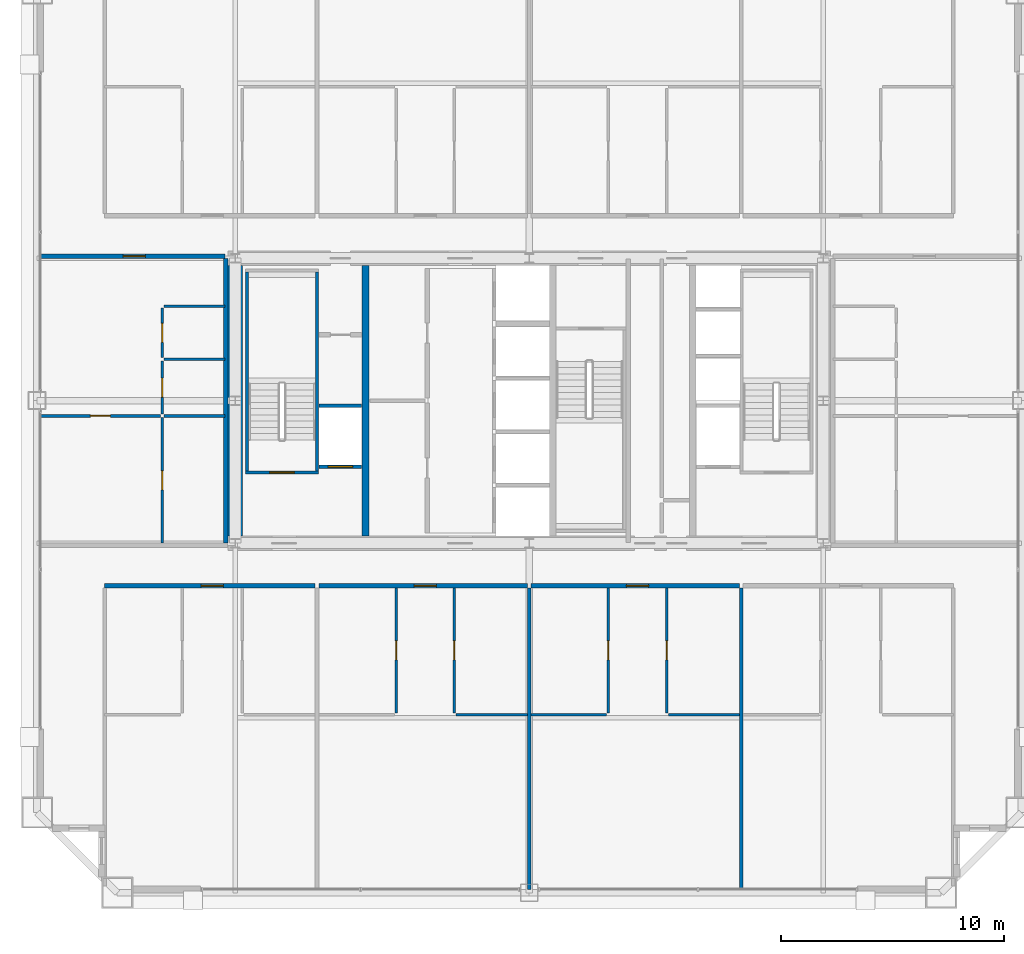
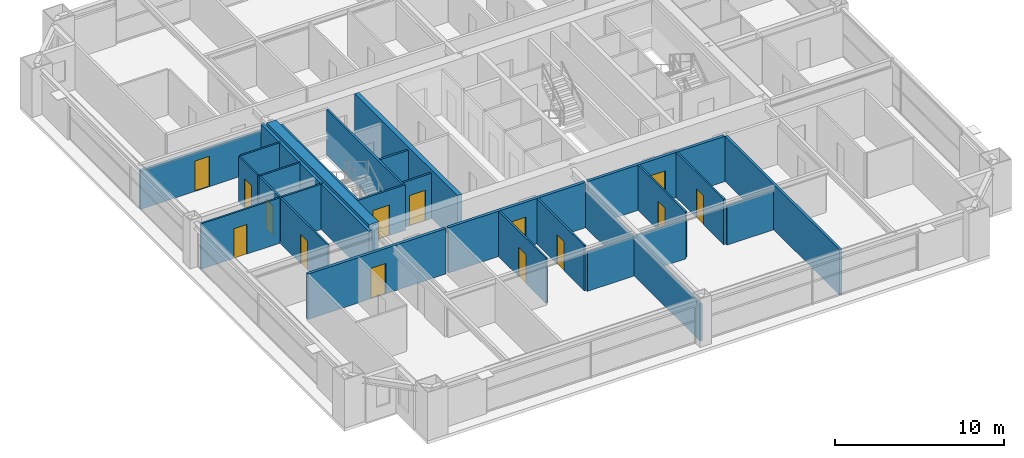
# One storey, part 33 of 38: 28 walls, 14 doors, 14 openings.
"""IFC4 building model written with IfcOpenShell, lengths in metres."""

import ifcopenshell
import ifcopenshell.guid

model = None  # the IFC model being written
_history = None  # IfcOwnerHistory: only IFC2X3 demands one
_inside = {}  # id of a spatial element -> (the spatial element, [elements in it])
_under = {}  # id of a project, library or spatial element -> (it, [spatial elements below it])
_declared = {}  # id of a project -> (the project, [libraries it declares])
_typed = {}  # id of a type object -> (the type object, [elements of that type])
_made_of = {}  # id of a material, layer set ... -> (it, [elements and type objects made of it])


def new_model(schema):
    """Start an empty IFC model of exactly this schema.

    Asked for "IFC4X3", IfcOpenShell would pick the latest addendum, in which some entities
    have other attributes; the version numbers below select the first issue.
    IFC2X3 requires an IfcOwnerHistory on every rooted entity: one is made here for all.
    """
    global model, _history
    if schema == "IFC4X3":
        model = ifcopenshell.file(schema_version=(4, 3, 0, 0))
    else:
        model = ifcopenshell.file(schema=schema)
    _inside.clear()
    _under.clear()
    _declared.clear()
    _typed.clear()
    _made_of.clear()
    _history = None
    if model.schema == "IFC2X3":
        org = make("IfcOrganization", Name="unknown")
        user = make(
            "IfcPersonAndOrganization",
            ThePerson=make("IfcPerson", FamilyName="unknown"),
            TheOrganization=org,
        )
        app = make(
            "IfcApplication",
            ApplicationDeveloper=org,
            Version="unknown",
            ApplicationFullName="unknown",
            ApplicationIdentifier="unknown",
        )
        _history = make(
            "IfcOwnerHistory",
            OwningUser=user,
            OwningApplication=app,
            ChangeAction="ADDED",
            CreationDate=0,
        )
    return model


def make(cls, **values):
    """One entity of the class cls with the attributes given. An attribute that is None is left unset."""
    return model.create_entity(
        cls, **{name: value for name, value in values.items() if value is not None}
    )


def rooted(cls, **values):
    """An entity with a GlobalId (a new one), such as an element, a storey or a relation."""
    return make(cls, GlobalId=ifcopenshell.guid.new(), OwnerHistory=_history, **values)


def si_unit(unit_type, name, prefix=None):
    """IfcSIUnit, for example si_unit("LENGTHUNIT", "METRE", prefix="MILLI")."""
    return make("IfcSIUnit", UnitType=unit_type, Prefix=prefix, Name=name)


def assignment(units):
    """IfcUnitAssignment: the units of a project."""
    return None if units is None else make("IfcUnitAssignment", Units=units)


def point(xyz):
    """IfcCartesianPoint."""
    return None if xyz is None else make("IfcCartesianPoint", Coordinates=xyz)


def direction(xyz):
    """IfcDirection."""
    return None if xyz is None else make("IfcDirection", DirectionRatios=xyz)


def frame(location, z_axis=None, x_axis=None):
    """IfcAxis2Placement3D, a coordinate frame: its origin and axes. An axis left out is left unset."""
    return make(
        "IfcAxis2Placement3D",
        Location=point(location),
        Axis=direction(z_axis),
        RefDirection=direction(x_axis),
    )


def frame_2d(location, x_axis=None):
    """IfcAxis2Placement2D, a coordinate frame in the plane: its origin and x axis."""
    return make(
        "IfcAxis2Placement2D", Location=point(location), RefDirection=direction(x_axis)
    )


def origin():
    """The frame at (0, 0, 0) with its axes left unset."""
    return frame((0.0, 0.0, 0.0))


def place(relative_to, where):
    """IfcLocalPlacement: puts the frame where relative to a parent placement (None: the world)."""
    return make(
        "IfcLocalPlacement", PlacementRelTo=relative_to, RelativePlacement=where
    )


def context(
    kind, dimensions, precision=None, world=None, true_north=None, identifier=None
):
    """IfcGeometricRepresentationContext, for example the 3D "Model" context."""
    return make(
        "IfcGeometricRepresentationContext",
        ContextIdentifier=identifier,
        ContextType=kind,
        CoordinateSpaceDimension=dimensions,
        Precision=precision,
        WorldCoordinateSystem=world,
        TrueNorth=true_north,
    )


def subcontext(parent, identifier, kind, view, scale=None):
    """IfcGeometricRepresentationSubContext, for example "Body" below "Model"."""
    return make(
        "IfcGeometricRepresentationSubContext",
        ContextIdentifier=identifier,
        ContextType=kind,
        ParentContext=parent,
        TargetScale=scale,
        TargetView=view,
    )


def project(units=None, contexts=None):
    """IfcProject with its units and contexts."""
    return rooted(
        "IfcProject",
        Name="project",
        RepresentationContexts=contexts,
        UnitsInContext=assignment(units),
    )


def spatial(cls, under=None, at=None, **own):
    """A site, building, storey or space (cls), placed at a placement, below another one or the project."""
    s = rooted(cls, ObjectPlacement=at, **own)
    if under is not None:
        _under.setdefault(under.id(), (under, []))[1].append(s)
    return s


def profile(cls, at=None, kind="AREA", **sizes):
    """A parametric profile (cls). Its sizes go by their IFC names, for example OverallWidth=200.0."""
    return make(cls, ProfileType=kind, Position=at, **sizes)


def rectangle(**sizes):
    """IfcRectangleProfileDef."""
    return profile("IfcRectangleProfileDef", **sizes)


def extrude(swept, where, along, depth):
    """IfcExtrudedAreaSolid: the profile swept, set in the frame where, extruded along a direction by depth."""
    return make(
        "IfcExtrudedAreaSolid",
        SweptArea=swept,
        Position=where,
        ExtrudedDirection=direction(along),
        Depth=depth,
    )


def shape(context_of_items, identifier, shape_type, items):
    """IfcShapeRepresentation: the items that make up one representation, for example the "Body"."""
    return make(
        "IfcShapeRepresentation",
        ContextOfItems=context_of_items,
        RepresentationIdentifier=identifier,
        RepresentationType=shape_type,
        Items=items,
    )


def source(mapping_origin, context_of_items, identifier, shape_type, items):
    """IfcRepresentationMap: a shape defined once, which mapped items show again and again."""
    return make(
        "IfcRepresentationMap",
        MappingOrigin=mapping_origin,
        MappedRepresentation=shape(context_of_items, identifier, shape_type, items),
    )


def transform(
    local_origin,
    x_axis=None,
    y_axis=None,
    z_axis=None,
    scale=None,
    scale2=None,
    scale3=None,
    uniform=True,
):
    """IfcCartesianTransformationOperator3D, or its non-uniform kind. x_axis, y_axis, z_axis: its Axis1, 2, 3."""
    if uniform:
        return make(
            "IfcCartesianTransformationOperator3D",
            Axis1=direction(x_axis),
            Axis2=direction(y_axis),
            LocalOrigin=point(local_origin),
            Scale=scale,
            Axis3=direction(z_axis),
        )
    return make(
        "IfcCartesianTransformationOperator3DnonUniform",
        Axis1=direction(x_axis),
        Axis2=direction(y_axis),
        LocalOrigin=point(local_origin),
        Scale=scale,
        Axis3=direction(z_axis),
        Scale2=scale2,
        Scale3=scale3,
    )


def mapped(mapping_source, mapping_target):
    """IfcMappedItem: shows the shape of a source again, moved by a transform."""
    return make(
        "IfcMappedItem", MappingSource=mapping_source, MappingTarget=mapping_target
    )


def material(Name=None, Category=None):
    """IfcMaterial."""
    return make("IfcMaterial", Name=Name, Category=Category)


def layer(
    of_material, thickness, ventilated=None, Name=None, Category=None, Priority=None
):
    """IfcMaterialLayer: one layer of a wall or slab, of a material (None: an air gap)."""
    return make(
        "IfcMaterialLayer",
        Material=of_material,
        LayerThickness=thickness,
        IsVentilated=ventilated,
        Name=Name,
        Category=Category,
        Priority=Priority,
    )


def layer_set(layers, Name=None):
    """IfcMaterialLayerSet."""
    return make("IfcMaterialLayerSet", MaterialLayers=layers, LayerSetName=Name)


def made_of(thing, what):
    """Note that an element or type object is made of a material, layer set ...; save() writes the relation."""
    if what is not None:
        _made_of.setdefault(what.id(), (what, []))[1].append(thing)
    return thing


def type_object(cls, material=None, **own):
    """A type object (cls), such as IfcWallType, which elements share."""
    return made_of(rooted(cls, **own), material)


def element(
    cls,
    number,
    at=None,
    inside=None,
    cuts=None,
    type_object=None,
    material=None,
    context=None,
    identifier="Body",
    shape_type=None,
    held_by="IfcProductDefinitionShape",
    body=None,
    shapes=None,
    **own,
):
    """One element of the class cls, such as IfcWall. Its Tag is "e" and its number.

    at: its placement. inside: the storey or other place that contains it. cuts: it is an
    opening in that element (IfcRelVoidsElement). A single representation is given by context,
    identifier, shape_type and body (its items); several are given by shapes. held_by: the class
    of the entity that holds the representations. save() writes the other relations.
    """
    e = rooted(cls, Tag="e%d" % number, ObjectPlacement=at, **own)
    if body is not None:
        shapes = [shape(context, identifier, shape_type, body)]
    if shapes is not None:
        e.Representation = make(held_by, Representations=shapes)
    if inside is not None:
        _inside.setdefault(inside.id(), (inside, []))[1].append(e)
    if cuts is not None:
        rooted(
            "IfcRelVoidsElement", RelatingBuildingElement=cuts, RelatedOpeningElement=e
        )
    if type_object is not None:
        _typed.setdefault(type_object.id(), (type_object, []))[1].append(e)
    return made_of(e, material)


def fill(opening, filler):
    """IfcRelFillsElement: the door or window that sits in an opening."""
    return rooted(
        "IfcRelFillsElement",
        RelatingOpeningElement=opening,
        RelatedBuildingElement=filler,
    )


def aggregate(whole, parts):
    """IfcRelAggregates: a whole, such as a stair, and the parts it consists of."""
    return rooted("IfcRelAggregates", RelatingObject=whole, RelatedObjects=parts)


def save(model, path):
    """Write the relations noted so far, then the file.

    IfcRelAggregates (storeys below a building ...), IfcRelContainedInSpatialStructure (elements
    in a storey), IfcRelDefinesByType, IfcRelAssociatesMaterial and IfcRelDeclares: one each for
    every whole, place, type object, material and project.
    """
    for whole, parts in _under.values():
        aggregate(whole, parts)
    for where, things in _inside.values():
        rooted(
            "IfcRelContainedInSpatialStructure",
            RelatedElements=things,
            RelatingStructure=where,
        )
    for kind, things in _typed.values():
        rooted("IfcRelDefinesByType", RelatedObjects=things, RelatingType=kind)
    for what, things in _made_of.values():
        rooted("IfcRelAssociatesMaterial", RelatedObjects=things, RelatingMaterial=what)
    for by, libraries in _declared.values():
        rooted("IfcRelDeclares", RelatingContext=by, RelatedDefinitions=libraries)
    model.write(path)


model = new_model("IFC4")

# Units and contexts
model_context = context("Model", 3, precision=1e-05, world=origin(), true_north=direction((0.0, 1.0)))
body_context = subcontext(model_context, "Body", "Model", "MODEL_VIEW")
ifc_project = project(units=[si_unit("LENGTHUNIT", "METRE"), si_unit("AREAUNIT", "SQUARE_METRE"), si_unit("VOLUMEUNIT", "CUBIC_METRE"), si_unit("PLANEANGLEUNIT", "RADIAN"), si_unit("MASSUNIT", "GRAM", prefix="KILO"), si_unit("THERMODYNAMICTEMPERATUREUNIT", "KELVIN"), si_unit("POWERUNIT", "WATT")], contexts=[model_context])

# Site, building, storey
site_placement = place(None, origin())
site = spatial("IfcSite", under=ifc_project, at=site_placement, CompositionType="ELEMENT")
building_placement = place(site_placement, origin())
building = spatial("IfcBuilding", under=site, at=building_placement, Name="Yuzanri Waterfront Tower", CompositionType="ELEMENT")
storey_placement = place(building_placement, frame((0.0, 0.0, 181.0)))
storey = spatial("IfcBuildingStorey", under=building, at=storey_placement, Name="L47", CompositionType="ELEMENT", Elevation=181.0)

# Wall, opening, door
ifc_material_1 = material(Name="Moisture-Resistant Gypsum Stud Wall", Category="gypsum")
ifc_layer_1 = layer(ifc_material_1, 0.1201171875)
ifc_layer_set_1 = layer_set([ifc_layer_1], Name="Moisture-Resistant Gypsum Stud Wall")
wall_type_1 = type_object("IfcWallType", Name="Bathroom and Kitchen Wet Partition 120", PredefinedType="PARTITIONING", material=ifc_layer_set_1)
wall_1_placement = place(storey_placement, frame((31.02392578125, 11.780029296875, 0.0), z_axis=(0.0, 0.0, 1.0), x_axis=(0.0, 1.0, 0.0)))
wall_1 = element("IfcWall", 1, at=wall_1_placement, inside=storey, type_object=wall_type_1, Name="L47 Partition UW-L47-RS2-SUB-1-E", PredefinedType="PARTITIONING", context=body_context, shape_type="SweptSolid", body=[
    extrude(rectangle(XDim=5.60986328125, YDim=0.1201171875, at=frame_2d((2.804931640625, 0.0))), origin(), (0.0, 0.0, 1.0), 3.280029296875),
])
opening_1_placement = place(wall_1_placement, frame((2.3798828125, 0.0, 0.0)))
opening_1 = element("IfcOpeningElement", 2, at=opening_1_placement, cuts=wall_1, Name="Opening ID-0850", PredefinedType="OPENING", context=body_context, shape_type="SweptSolid", body=[
    extrude(rectangle(XDim=0.85009765625, YDim=2.10009765625, at=frame_2d((0.425048828125, 1.050048828125))), frame((0.0, 0.074951171875, 0.0), z_axis=(0.0, -1.0, 0.0), x_axis=(1.0, 0.0, 0.0)), (0.0, 0.0, 1.0), 0.14990234375),
])
ifc_material_2 = material(Name="Moisture-Resistant Lacquered Timber", Category="wood")
door_type_1 = type_object("IfcDoorType", Name="En-Suite Bathroom and Kitchen Swing Door 850x2100", OperationType="NOTDEFINED", PredefinedType="DOOR", material=ifc_material_2)
shared_shape_1 = source(origin(), body_context, "Body", "SweptSolid", [
    extrude(rectangle(XDim=0.85009765625, YDim=2.10009765625, at=frame_2d((0.425048828125, 1.050048828125))), frame((0.0, 0.02490234375, 0.0), z_axis=(0.0, -1.0, 0.0), x_axis=(1.0, 0.0, 0.0)), (0.0, 0.0, 1.0), 0.050048828125),
])
door_1_placement = place(opening_1_placement, origin())
door_1 = element("IfcDoor", 3, at=door_1_placement, inside=storey, type_object=door_type_1, Name="L47 Suite Interior Room Door", OperationType="SINGLE_SWING_RIGHT", OverallHeight=2.10009765625, OverallWidth=0.85009765625, PredefinedType="DOOR", context=body_context, shape_type="MappedRepresentation", body=[
    mapped(shared_shape_1, transform((0.0, 0.0, 0.0), scale=1.0)),
])
fill(opening_1, door_1)

wall_2_placement = place(storey_placement, frame((33.639892578125, 11.780029296875, 0.0), z_axis=(0.0, 0.0, 1.0), x_axis=(0.0, 1.0, 0.0)))
wall_2 = element("IfcWall", 4, at=wall_2_placement, inside=storey, type_object=wall_type_1, Name="L47 Partition UW-L47-RS2-SUB-2-W", PredefinedType="PARTITIONING", context=body_context, shape_type="SweptSolid", body=[
    extrude(rectangle(XDim=5.60986328125, YDim=0.1201171875, at=frame_2d((2.804931640625, 0.0))), origin(), (0.0, 0.0, 1.0), 3.280029296875),
])
opening_2_placement = place(wall_2_placement, frame((2.3798828125, 0.0, 0.0)))
opening_2 = element("IfcOpeningElement", 5, at=opening_2_placement, cuts=wall_2, Name="Opening ID-0850", PredefinedType="OPENING", context=body_context, shape_type="SweptSolid", body=[
    extrude(rectangle(XDim=0.85009765625, YDim=2.10009765625, at=frame_2d((0.425048828125, 1.050048828125))), frame((0.0, 0.074951171875, 0.0), z_axis=(0.0, -1.0, 0.0), x_axis=(1.0, 0.0, 0.0)), (0.0, 0.0, 1.0), 0.14990234375),
])
door_2_placement = place(opening_2_placement, origin())
door_2 = element("IfcDoor", 6, at=door_2_placement, inside=storey, type_object=door_type_1, Name="L47 Suite Interior Room Door", OperationType="SINGLE_SWING_LEFT", OverallHeight=2.10009765625, OverallWidth=0.85009765625, PredefinedType="DOOR", context=body_context, shape_type="MappedRepresentation", body=[
    mapped(shared_shape_1, transform((0.0, 0.0, 0.0), scale=1.0)),
])
fill(opening_2, door_2)

wall_3_placement = place(storey_placement, frame((40.553955078125, 11.780029296875, 0.0), z_axis=(0.0, 0.0, 1.0), x_axis=(0.0, 1.0, 0.0)))
wall_3 = element("IfcWall", 7, at=wall_3_placement, inside=storey, type_object=wall_type_1, Name="L47 Partition UW-L47-RS3-SUB-1-E", PredefinedType="PARTITIONING", context=body_context, shape_type="SweptSolid", body=[
    extrude(rectangle(XDim=5.60986328125, YDim=0.1201171875, at=frame_2d((2.804931640625, 0.0))), origin(), (0.0, 0.0, 1.0), 3.280029296875),
])
opening_3_placement = place(wall_3_placement, frame((2.3798828125, 0.0, 0.0)))
opening_3 = element("IfcOpeningElement", 8, at=opening_3_placement, cuts=wall_3, Name="Opening ID-0850", PredefinedType="OPENING", context=body_context, shape_type="SweptSolid", body=[
    extrude(rectangle(XDim=0.85009765625, YDim=2.10009765625, at=frame_2d((0.425048828125, 1.050048828125))), frame((0.0, 0.074951171875, 0.0), z_axis=(0.0, -1.0, 0.0), x_axis=(1.0, 0.0, 0.0)), (0.0, 0.0, 1.0), 0.14990234375),
])
door_3_placement = place(opening_3_placement, origin())
door_3 = element("IfcDoor", 9, at=door_3_placement, inside=storey, type_object=door_type_1, Name="L47 Suite Interior Room Door", OperationType="SINGLE_SWING_LEFT", OverallHeight=2.10009765625, OverallWidth=0.85009765625, PredefinedType="DOOR", context=body_context, shape_type="MappedRepresentation", body=[
    mapped(shared_shape_1, transform((0.0, 0.0, 0.0), scale=1.0)),
])
fill(opening_3, door_3)

wall_4_placement = place(storey_placement, frame((43.169921875, 11.780029296875, 0.0), z_axis=(0.0, 0.0, 1.0), x_axis=(0.0, 1.0, 0.0)))
wall_4 = element("IfcWall", 10, at=wall_4_placement, inside=storey, type_object=wall_type_1, Name="L47 Partition UW-L47-RS3-SUB-2-W", PredefinedType="PARTITIONING", context=body_context, shape_type="SweptSolid", body=[
    extrude(rectangle(XDim=5.60986328125, YDim=0.1201171875, at=frame_2d((2.804931640625, 0.0))), origin(), (0.0, 0.0, 1.0), 3.280029296875),
])
opening_4_placement = place(wall_4_placement, frame((2.3798828125, 0.0, 0.0)))
opening_4 = element("IfcOpeningElement", 11, at=opening_4_placement, cuts=wall_4, Name="Opening ID-0850", PredefinedType="OPENING", context=body_context, shape_type="SweptSolid", body=[
    extrude(rectangle(XDim=0.85009765625, YDim=2.10009765625, at=frame_2d((0.425048828125, 1.050048828125))), frame((0.0, 0.074951171875, 0.0), z_axis=(0.0, -1.0, 0.0), x_axis=(1.0, 0.0, 0.0)), (0.0, 0.0, 1.0), 0.14990234375),
])
door_4_placement = place(opening_4_placement, origin())
door_4 = element("IfcDoor", 12, at=door_4_placement, inside=storey, type_object=door_type_1, Name="L47 Suite Interior Room Door", OperationType="SINGLE_SWING_RIGHT", OverallHeight=2.10009765625, OverallWidth=0.85009765625, PredefinedType="DOOR", context=body_context, shape_type="MappedRepresentation", body=[
    mapped(shared_shape_1, transform((0.0, 0.0, 0.0), scale=1.0)),
])
fill(opening_4, door_4)

wall_5_placement = place(storey_placement, frame((20.52001953125, 25.193115234375, 0.0), z_axis=(0.0, 0.0, 1.0), x_axis=(0.0, 1.0, 0.0)))
wall_5 = element("IfcWall", 13, at=wall_5_placement, inside=storey, type_object=wall_type_1, Name="L47 Partition UW-L47-RW1-SUB-1-W", PredefinedType="PARTITIONING", context=body_context, shape_type="SweptSolid", body=[
    extrude(rectangle(XDim=2.37890625, YDim=0.1201171875, at=frame_2d((1.189453125, 0.0))), origin(), (0.0, 0.0, 1.0), 3.280029296875),
])
opening_5_placement = place(wall_5_placement, frame((0.764404296875, 0.0, 0.0)))
opening_5 = element("IfcOpeningElement", 14, at=opening_5_placement, cuts=wall_5, Name="Opening ID-0850", PredefinedType="OPENING", context=body_context, shape_type="SweptSolid", body=[
    extrude(rectangle(XDim=0.85009765625, YDim=2.10009765625, at=frame_2d((0.425048828125, 1.050048828125))), frame((0.0, 0.074951171875, 0.0), z_axis=(0.0, -1.0, 0.0), x_axis=(1.0, 0.0, 0.0)), (0.0, 0.0, 1.0), 0.14990234375),
])
door_5_placement = place(opening_5_placement, origin())
door_5 = element("IfcDoor", 15, at=door_5_placement, inside=storey, type_object=door_type_1, Name="L47 Suite Interior Room Door", OperationType="SINGLE_SWING_LEFT", OverallHeight=2.10009765625, OverallWidth=0.85009765625, PredefinedType="DOOR", context=body_context, shape_type="MappedRepresentation", body=[
    mapped(shared_shape_1, transform((0.0, 0.0, 0.0), scale=1.0)),
])
fill(opening_5, door_5)

wall_6_placement = place(storey_placement, frame((20.52001953125, 27.73193359375, 0.0), z_axis=(0.0, 0.0, 1.0), x_axis=(0.0, 1.0, 0.0)))
wall_6 = element("IfcWall", 16, at=wall_6_placement, inside=storey, type_object=wall_type_1, Name="L47 Partition UW-L47-RW1-SUB-2-W", PredefinedType="PARTITIONING", context=body_context, shape_type="SweptSolid", body=[
    extrude(rectangle(XDim=2.218994140625, YDim=0.1201171875, at=frame_2d((1.109375, 0.0))), origin(), (0.0, 0.0, 1.0), 3.280029296875),
])
opening_6_placement = place(wall_6_placement, frame((0.6845703125, 0.0, 0.0)))
opening_6 = element("IfcOpeningElement", 17, at=opening_6_placement, cuts=wall_6, Name="Opening ID-0850", PredefinedType="OPENING", context=body_context, shape_type="SweptSolid", body=[
    extrude(rectangle(XDim=0.85009765625, YDim=2.10009765625, at=frame_2d((0.425048828125, 1.050048828125))), frame((0.0, 0.074951171875, 0.0), z_axis=(0.0, -1.0, 0.0), x_axis=(1.0, 0.0, 0.0)), (0.0, 0.0, 1.0), 0.14990234375),
])
door_6_placement = place(opening_6_placement, origin())
door_6 = element("IfcDoor", 18, at=door_6_placement, inside=storey, type_object=door_type_1, Name="L47 Suite Interior Room Door", OperationType="SINGLE_SWING_RIGHT", OverallHeight=2.10009765625, OverallWidth=0.85009765625, PredefinedType="DOOR", context=body_context, shape_type="MappedRepresentation", body=[
    mapped(shared_shape_1, transform((0.0, 0.0, 0.0), scale=1.0)),
])
fill(opening_6, door_6)

wall_7_placement = place(storey_placement, frame((15.050048828125, 25.113037109375, 0.0), z_axis=(0.0, 0.0, 1.0), x_axis=(1.0, 0.0, 0.0)))
wall_7 = element("IfcWall", 19, at=wall_7_placement, inside=storey, type_object=wall_type_1, Name="L47 Partition UW-L47-RW1-SUB-3-N", PredefinedType="PARTITIONING", context=body_context, shape_type="SweptSolid", body=[
    extrude(rectangle(XDim=5.389892578125, YDim=0.1201171875, at=frame_2d((2.69482421875, 0.0))), origin(), (0.0, 0.0, 1.0), 3.280029296875),
])
opening_7_placement = place(wall_7_placement, frame((2.2451171875, 0.0, 0.0)))
opening_7 = element("IfcOpeningElement", 20, at=opening_7_placement, cuts=wall_7, Name="Opening ID-0900", PredefinedType="OPENING", context=body_context, shape_type="SweptSolid", body=[
    extrude(rectangle(XDim=0.89990234375, YDim=2.14990234375, at=frame_2d((0.449951171875, 1.074951171875))), frame((0.0, 0.074951171875, 0.0), z_axis=(0.0, -1.0, 0.0), x_axis=(1.0, 0.0, 0.0)), (0.0, 0.0, 1.0), 0.14990234375),
])
ifc_material_3 = material(Name="Stained Walnut Veneer Timber", Category="wood")
door_type_2 = type_object("IfcDoorType", Name="Bedroom and Study Interior Swing Door 900x2150", OperationType="NOTDEFINED", PredefinedType="DOOR", material=ifc_material_3)
shared_shape_2 = source(origin(), body_context, "Body", "SweptSolid", [
    extrude(rectangle(XDim=0.89990234375, YDim=2.14990234375, at=frame_2d((0.449951171875, 1.074951171875))), frame((0.0, 0.02490234375, 0.0), z_axis=(0.0, -1.0, 0.0), x_axis=(1.0, 0.0, 0.0)), (0.0, 0.0, 1.0), 0.050048828125),
])
door_7_placement = place(opening_7_placement, origin())
door_7 = element("IfcDoor", 21, at=door_7_placement, inside=storey, type_object=door_type_2, Name="L47 Suite Interior Room Door", OperationType="SINGLE_SWING_LEFT", OverallHeight=2.14990234375, OverallWidth=0.89990234375, PredefinedType="DOOR", context=body_context, shape_type="MappedRepresentation", body=[
    mapped(shared_shape_2, transform((0.0, 0.0, 0.0), scale=1.0)),
])
fill(opening_7, door_7)

wall_8_placement = place(storey_placement, frame((20.52001953125, 19.409912109375, 0.0), z_axis=(0.0, 0.0, 1.0), x_axis=(0.0, 1.0, 0.0)))
wall_8 = element("IfcWall", 22, at=wall_8_placement, inside=storey, type_object=wall_type_1, Name="L47 Partition UW-L47-RW1-SUB-3-E", PredefinedType="PARTITIONING", context=body_context, shape_type="SweptSolid", body=[
    extrude(rectangle(XDim=5.623046875, YDim=0.1201171875, at=frame_2d((2.8115234375, 0.0))), origin(), (0.0, 0.0, 1.0), 3.280029296875),
])
opening_8_placement = place(wall_8_placement, frame((2.386474609375, 0.0, 0.0)))
opening_8 = element("IfcOpeningElement", 23, at=opening_8_placement, cuts=wall_8, Name="Opening ID-0850", PredefinedType="OPENING", context=body_context, shape_type="SweptSolid", body=[
    extrude(rectangle(XDim=0.85009765625, YDim=2.10009765625, at=frame_2d((0.425048828125, 1.050048828125))), frame((0.0, 0.074951171875, 0.0), z_axis=(0.0, -1.0, 0.0), x_axis=(1.0, 0.0, 0.0)), (0.0, 0.0, 1.0), 0.14990234375),
])
door_8_placement = place(opening_8_placement, origin())
door_8 = element("IfcDoor", 24, at=door_8_placement, inside=storey, type_object=door_type_1, Name="L47 Suite Interior Room Door", OperationType="SINGLE_SWING_RIGHT", OverallHeight=2.10009765625, OverallWidth=0.85009765625, PredefinedType="DOOR", context=body_context, shape_type="MappedRepresentation", body=[
    mapped(shared_shape_1, transform((0.0, 0.0, 0.0), scale=1.0)),
])
fill(opening_8, door_8)

ifc_material_4 = material(Name="Concrete C40", Category="concrete")
ifc_layer_2 = layer(ifc_material_4, 0.139892578125)
ifc_layer_set_2 = layer_set([ifc_layer_2], Name="Concrete C40")
wall_type_2 = type_object("IfcWallType", Name="Core Stair Liner and Hoistway Shaft Wall 140", PredefinedType="SOLIDWALL", material=ifc_layer_set_2)
wall_9_placement = place(storey_placement, frame((27.56005859375, 22.830078125, 0.0), z_axis=(0.0, 0.0, 1.0), x_axis=(1.0, 0.0, 0.0)))
wall_9 = element("IfcWall", 25, at=wall_9_placement, inside=storey, type_object=wall_type_2, Name="L47 Lift FL-01 Front Shaft Wall", PredefinedType="SOLIDWALL", context=body_context, shape_type="SweptSolid", body=[
    extrude(rectangle(XDim=1.919921875, YDim=0.139892578125, at=frame_2d((0.9599609375, 0.0))), origin(), (0.0, 0.0, 1.0), 3.280029296875),
])
opening_9_placement = place(wall_9_placement, frame((0.409912109375, 0.0, 0.0)))
opening_9 = element("IfcOpeningElement", 26, at=opening_9_placement, cuts=wall_9, Name="Opening LD-FL-01", PredefinedType="OPENING", context=body_context, shape_type="SweptSolid", body=[
    extrude(rectangle(XDim=1.10009765625, YDim=2.199951171875, at=frame_2d((0.550048828125, 1.10009765625))), frame((0.0, 0.0849609375, 0.0), z_axis=(0.0, -1.0, 0.0), x_axis=(1.0, 0.0, 0.0)), (0.0, 0.0, 1.0), 0.169677734375),
])
ifc_material_5 = material(Name="Brushed Bronze and Stainless Steel Cab", Category="steel")
door_type_3 = type_object("IfcDoorType", Name="Center-Parting Bronze Lift Landing Sliding Door 1100x2200", OperationType="NOTDEFINED", PredefinedType="DOOR", material=ifc_material_5)
shared_shape_3 = source(origin(), body_context, "Body", "SweptSolid", [
    extrude(rectangle(XDim=1.10009765625, YDim=2.199951171875, at=frame_2d((0.550048828125, 1.10009765625))), frame((0.0, 0.02490234375, 0.0), z_axis=(0.0, -1.0, 0.0), x_axis=(1.0, 0.0, 0.0)), (0.0, 0.0, 1.0), 0.050048828125),
])
door_9_placement = place(opening_9_placement, origin())
door_9 = element("IfcDoor", 27, at=door_9_placement, inside=storey, type_object=door_type_3, Name="L47 FL-01 Lift Landing Sliding Door", OperationType="SLIDING_TO_LEFT", OverallHeight=2.199951171875, OverallWidth=1.10009765625, PredefinedType="DOOR", context=body_context, shape_type="MappedRepresentation", body=[
    mapped(shared_shape_3, transform((0.0, 0.0, 0.0), scale=1.0)),
])
fill(opening_9, door_9)

wall_10_placement = place(storey_placement, frame((24.260009765625, 22.570068359375, 0.0), z_axis=(0.0, 0.0, 1.0), x_axis=(1.0, 0.0, 0.0)))
wall_10 = element("IfcWall", 28, at=wall_10_placement, inside=storey, type_object=wall_type_2, Name="L47 Shaft Wall STW-L47-ST-01-S", PredefinedType="SOLIDWALL", context=body_context, shape_type="SweptSolid", body=[
    extrude(rectangle(XDim=3.280029296875, YDim=0.139892578125, at=frame_2d((1.64013671875, 0.0))), origin(), (0.0, 0.0, 1.0), 3.280029296875),
])
opening_10_placement = place(wall_10_placement, frame((1.090087890625, 0.0, 0.0)))
opening_10 = element("IfcOpeningElement", 29, at=opening_10_placement, cuts=wall_10, Name="Opening FD-1100", PredefinedType="OPENING", context=body_context, shape_type="SweptSolid", body=[
    extrude(rectangle(XDim=1.10009765625, YDim=2.199951171875, at=frame_2d((0.550048828125, 1.10009765625))), frame((0.0, 0.0849609375, 0.0), z_axis=(0.0, -1.0, 0.0), x_axis=(1.0, 0.0, 0.0)), (0.0, 0.0, 1.0), 0.169677734375),
])
ifc_material_6 = material(Name="Painted Galvanized Fire Steel", Category="steel")
door_type_4 = type_object("IfcDoorType", Name="Smoke-Proof Stair and Lobby Fire Door 1100x2200", OperationType="NOTDEFINED", PredefinedType="DOOR", material=ifc_material_6)
shared_shape_4 = source(origin(), body_context, "Body", "SweptSolid", [
    extrude(rectangle(XDim=1.10009765625, YDim=2.199951171875, at=frame_2d((0.550048828125, 1.10009765625))), frame((0.0, 0.02490234375, 0.0), z_axis=(0.0, -1.0, 0.0), x_axis=(1.0, 0.0, 0.0)), (0.0, 0.0, 1.0), 0.050048828125),
])
door_10_placement = place(opening_10_placement, origin())
door_10 = element("IfcDoor", 30, at=door_10_placement, inside=storey, type_object=door_type_4, Name="L47 Stair ST-01 Fire Door", OperationType="SINGLE_SWING_LEFT", OverallHeight=2.199951171875, OverallWidth=1.10009765625, PredefinedType="DOOR", context=body_context, shape_type="MappedRepresentation", body=[
    mapped(shared_shape_4, transform((0.0, 0.0, 0.0), scale=1.0)),
])
fill(opening_10, door_10)

ifc_material_7 = material(Name="Autoclaved Aerated Concrete Blockwork", Category="masonry")
ifc_layer_3 = layer(ifc_material_7, 0.199951171875)
ifc_layer_set_3 = layer_set([ifc_layer_3], Name="Autoclaved Aerated Concrete Blockwork")
wall_type_3 = type_object("IfcWallType", Name="Corridor and Unit Party Fire Wall 200", PredefinedType="PARTITIONING", material=ifc_layer_set_3)
wall_11_placement = place(storey_placement, frame((17.93994140625, 17.489990234375, 0.0), z_axis=(0.0, 0.0, 1.0), x_axis=(1.0, 0.0, 0.0)))
wall_11 = element("IfcWall", 31, at=wall_11_placement, inside=storey, type_object=wall_type_3, Name="L47 Partition UW-L47-RS1-CN", PredefinedType="PARTITIONING", context=body_context, shape_type="SweptSolid", body=[
    extrude(rectangle(XDim=9.449951171875, YDim=0.199951171875, at=frame_2d((4.72509765625, 0.0))), origin(), (0.0, 0.0, 1.0), 3.280029296875),
])
opening_11_placement = place(wall_11_placement, frame((4.324951171875, 0.0, 0.0)))
opening_11 = element("IfcOpeningElement", 32, at=opening_11_placement, cuts=wall_11, Name="Opening FD-1000", PredefinedType="OPENING", context=body_context, shape_type="SweptSolid", body=[
    extrude(rectangle(XDim=1.0, YDim=2.199951171875, at=frame_2d((0.5, 1.10009765625))), frame((0.0, 0.11474609375, 0.0), z_axis=(0.0, -1.0, 0.0), x_axis=(1.0, 0.0, 0.0)), (0.0, 0.0, 1.0), 0.229736328125),
])
ifc_material_8 = material(Name="Engineered Oak Fire-Rated Timber", Category="wood")
door_type_5 = type_object("IfcDoorType", Name="Guestroom and Apartment Entrance Fire Door 1000x2200", OperationType="NOTDEFINED", PredefinedType="DOOR", material=ifc_material_8)
shared_shape_5 = source(origin(), body_context, "Body", "SweptSolid", [
    extrude(rectangle(XDim=1.0, YDim=2.199951171875, at=frame_2d((0.5, 1.10009765625))), frame((0.0, 0.02490234375, 0.0), z_axis=(0.0, -1.0, 0.0), x_axis=(1.0, 0.0, 0.0)), (0.0, 0.0, 1.0), 0.050048828125),
])
door_11_placement = place(opening_11_placement, origin())
door_11 = element("IfcDoor", 33, at=door_11_placement, inside=storey, type_object=door_type_5, Name="L47 Studio Living and Sleeping Room Entrance Door", OperationType="SINGLE_SWING_RIGHT", OverallHeight=2.199951171875, OverallWidth=1.0, PredefinedType="DOOR", context=body_context, shape_type="MappedRepresentation", body=[
    mapped(shared_shape_5, transform((0.0, 0.0, 0.0), scale=1.0)),
])
fill(opening_11, door_11)

wall_12_placement = place(storey_placement, frame((27.550048828125, 17.489990234375, 0.0), z_axis=(0.0, 0.0, 1.0), x_axis=(1.0, 0.0, 0.0)))
wall_12 = element("IfcWall", 34, at=wall_12_placement, inside=storey, type_object=wall_type_3, Name="L47 Partition UW-L47-RS2-CN", PredefinedType="PARTITIONING", context=body_context, shape_type="SweptSolid", body=[
    extrude(rectangle(XDim=9.369873046875, YDim=0.199951171875, at=frame_2d((4.68505859375, 0.0))), origin(), (0.0, 0.0, 1.0), 3.280029296875),
])
opening_12_placement = place(wall_12_placement, frame((4.281982421875, 0.0, 0.0)))
opening_12 = element("IfcOpeningElement", 35, at=opening_12_placement, cuts=wall_12, Name="Opening FD-1000", PredefinedType="OPENING", context=body_context, shape_type="SweptSolid", body=[
    extrude(rectangle(XDim=1.0, YDim=2.199951171875, at=frame_2d((0.5, 1.10009765625))), frame((0.0, 0.11474609375, 0.0), z_axis=(0.0, -1.0, 0.0), x_axis=(1.0, 0.0, 0.0)), (0.0, 0.0, 1.0), 0.229736328125),
])
door_12_placement = place(opening_12_placement, origin())
door_12 = element("IfcDoor", 36, at=door_12_placement, inside=storey, type_object=door_type_5, Name="L47 Studio Living and Sleeping Room Entrance Door", OperationType="SINGLE_SWING_LEFT", OverallHeight=2.199951171875, OverallWidth=1.0, PredefinedType="DOOR", context=body_context, shape_type="MappedRepresentation", body=[
    mapped(shared_shape_5, transform((0.0, 0.0, 0.0), scale=1.0)),
])
fill(opening_12, door_12)

wall_13_placement = place(storey_placement, frame((37.080078125, 17.489990234375, 0.0), z_axis=(0.0, 0.0, 1.0), x_axis=(1.0, 0.0, 0.0)))
wall_13 = element("IfcWall", 37, at=wall_13_placement, inside=storey, type_object=wall_type_3, Name="L47 Partition UW-L47-RS3-CN", PredefinedType="PARTITIONING", context=body_context, shape_type="SweptSolid", body=[
    extrude(rectangle(XDim=9.369873046875, YDim=0.199951171875, at=frame_2d((4.68505859375, 0.0))), origin(), (0.0, 0.0, 1.0), 3.280029296875),
])
opening_13_placement = place(wall_13_placement, frame((4.281982421875, 0.0, 0.0)))
opening_13 = element("IfcOpeningElement", 38, at=opening_13_placement, cuts=wall_13, Name="Opening FD-1000", PredefinedType="OPENING", context=body_context, shape_type="SweptSolid", body=[
    extrude(rectangle(XDim=1.0, YDim=2.199951171875, at=frame_2d((0.5, 1.10009765625))), frame((0.0, 0.11474609375, 0.0), z_axis=(0.0, -1.0, 0.0), x_axis=(1.0, 0.0, 0.0)), (0.0, 0.0, 1.0), 0.229736328125),
])
door_13_placement = place(opening_13_placement, origin())
door_13 = element("IfcDoor", 39, at=door_13_placement, inside=storey, type_object=door_type_5, Name="L47 Studio Living and Sleeping Room Entrance Door", OperationType="SINGLE_SWING_RIGHT", OverallHeight=2.199951171875, OverallWidth=1.0, PredefinedType="DOOR", context=body_context, shape_type="MappedRepresentation", body=[
    mapped(shared_shape_5, transform((0.0, 0.0, 0.0), scale=1.0)),
])
fill(opening_13, door_13)

wall_14_placement = place(storey_placement, frame((15.050048828125, 32.2900390625, 0.0), z_axis=(0.0, 0.0, 1.0), x_axis=(1.0, 0.0, 0.0)))
wall_14 = element("IfcWall", 40, at=wall_14_placement, inside=storey, type_object=wall_type_3, Name="L47 Partition UW-L47-RW1-CN", PredefinedType="PARTITIONING", context=body_context, shape_type="SweptSolid", body=[
    extrude(rectangle(XDim=8.300048828125, YDim=0.199951171875, at=frame_2d((4.14990234375, 0.0))), origin(), (0.0, 0.0, 1.0), 2.77490234375),
])
opening_14_placement = place(wall_14_placement, frame((3.715087890625, 0.0, 0.0)))
opening_14 = element("IfcOpeningElement", 41, at=opening_14_placement, cuts=wall_14, Name="Opening FD-1000", PredefinedType="OPENING", context=body_context, shape_type="SweptSolid", body=[
    extrude(rectangle(XDim=1.0, YDim=2.199951171875, at=frame_2d((0.5, 1.10009765625))), frame((0.0, 0.11474609375, 0.0), z_axis=(0.0, -1.0, 0.0), x_axis=(1.0, 0.0, 0.0)), (0.0, 0.0, 1.0), 0.229736328125),
])
door_14_placement = place(opening_14_placement, origin())
door_14 = element("IfcDoor", 42, at=door_14_placement, inside=storey, type_object=door_type_5, Name="L47 Wing Residence Living and Dining Room Entrance Door", OperationType="SINGLE_SWING_RIGHT", OverallHeight=2.199951171875, OverallWidth=1.0, PredefinedType="DOOR", context=body_context, shape_type="MappedRepresentation", body=[
    mapped(shared_shape_5, transform((0.0, 0.0, 0.0), scale=1.0)),
])
fill(opening_14, door_14)

# Walls
ifc_material_9 = material(Name="Concrete C50", Category="concrete")
ifc_layer_4 = layer(ifc_material_9, 0.64990234375)
ifc_layer_set_4 = layer_set([ifc_layer_4], Name="Concrete C50")
wall_type_4 = type_object("IfcWallType", Name="Concrete C50 Mid Zone Core Shear Wall 650", PredefinedType="SHEAR", material=ifc_layer_set_4)
shared_shape_6 = source(origin(), body_context, "Body", "SweptSolid", [
    extrude(rectangle(XDim=12.14990234375, YDim=0.64990234375, at=frame_2d((6.074951171875, 0.0))), origin(), (0.0, 0.0, 1.0), 3.5),
])
wall_15_placement = place(storey_placement, frame((23.800048828125, 19.72509765625, 0.0), z_axis=(0.0, 0.0, 1.0), x_axis=(0.0, 1.0, 0.0)))
element("IfcWall", 43, at=wall_15_placement, inside=storey, type_object=wall_type_4, Name="L47 Core West Shear Wall", PredefinedType="SHEAR", context=body_context, shape_type="MappedRepresentation", body=[
    mapped(shared_shape_6, transform((0.0, 0.0, 0.0), scale=1.0)),
])
ifc_material_10 = material(Name="Concrete C50", Category="concrete")
ifc_layer_5 = layer(ifc_material_10, 0.300048828125)
ifc_layer_set_5 = layer_set([ifc_layer_5], Name="Concrete C50")
wall_type_5 = type_object("IfcWallType", Name="Concrete C50 Internal Core Shaft Structural Wall 300", PredefinedType="SOLIDWALL", material=ifc_layer_set_5)
shared_shape_7 = source(origin(), body_context, "Body", "SweptSolid", [
    extrude(rectangle(XDim=12.14990234375, YDim=0.300048828125, at=frame_2d((6.074951171875, 0.0))), origin(), (0.0, 0.0, 1.0), 3.5),
])
wall_16_placement = place(storey_placement, frame((29.64990234375, 19.72509765625, 0.0), z_axis=(0.0, 0.0, 1.0), x_axis=(0.0, 1.0, 0.0)))
element("IfcWall", 44, at=wall_16_placement, inside=storey, type_object=wall_type_5, Name="L47 Core Internal Structural Web Wall 1", PredefinedType="SOLIDWALL", context=body_context, shape_type="MappedRepresentation", body=[
    mapped(shared_shape_7, transform((0.0, 0.0, 0.0), scale=1.0)),
])
shared_shape_8 = source(origin(), body_context, "Body", "SweptSolid", [
    extrude(rectangle(XDim=1.919921875, YDim=0.139892578125, at=frame_2d((0.9599609375, 0.0))), origin(), (0.0, 0.0, 1.0), 3.280029296875),
])
wall_17_placement = place(storey_placement, frame((27.56005859375, 25.570068359375, 0.0), z_axis=(0.0, 0.0, 1.0), x_axis=(1.0, 0.0, 0.0)))
element("IfcWall", 45, at=wall_17_placement, inside=storey, type_object=wall_type_2, Name="L47 Lift FL-01 Back Shaft Wall", PredefinedType="SOLIDWALL", context=body_context, shape_type="MappedRepresentation", body=[
    mapped(shared_shape_8, transform((0.0, 0.0, 0.0), scale=1.0)),
])
shared_shape_9 = source(origin(), body_context, "Body", "SweptSolid", [
    extrude(rectangle(XDim=8.940185546875, YDim=0.139892578125, at=frame_2d((4.47021484375, 0.0))), origin(), (0.0, 0.0, 1.0), 3.280029296875),
])
for number, where, z_axis, x_axis, name in (
    (46, (24.330078125, 22.639892578125, 0.0), (0.0, 0.0, 1.0), (0.0, 1.0, 0.0), "L47 Stair ST-01 West Shaft Wall"),
    (47, (27.469970703125, 22.639892578125, 0.0), (0.0, 0.0, 1.0), (0.0, 1.0, 0.0), "L47 Stair ST-01 East Shaft Wall"),
):
    element("IfcWall", number, at=place(storey_placement, frame(where, z_axis=z_axis, x_axis=x_axis)), inside=storey, type_object=wall_type_2, Name=name, PredefinedType="SOLIDWALL", context=body_context, shape_type="MappedRepresentation", body=[
        mapped(shared_shape_9, transform((0.0, 0.0, 0.0), scale=1.0)),
    ])
ifc_material_11 = material(Name="Gypsum Fireboard Acoustic Stud Wall", Category="gypsum")
ifc_layer_6 = layer(ifc_material_11, 0.159912109375)
ifc_layer_set_6 = layer_set([ifc_layer_6], Name="Gypsum Fireboard Acoustic Stud Wall")
wall_type_6 = type_object("IfcWallType", Name="Acoustic Suite Demising Partition 160", PredefinedType="PARTITIONING", material=ifc_layer_set_6)
shared_shape_10 = source(origin(), body_context, "Body", "SweptSolid", [
    extrude(rectangle(XDim=13.539794921875, YDim=0.159912109375, at=frame_2d((6.77001953125, 0.0))), origin(), (0.0, 0.0, 1.0), 3.280029296875),
])
wall_18_placement = place(storey_placement, frame((46.530029296875, 3.85009765625, 0.0), z_axis=(0.0, 0.0, 1.0), x_axis=(0.0, 1.0, 0.0)))
element("IfcWall", 48, at=wall_18_placement, inside=storey, type_object=wall_type_6, Name="L47-RS3 Party Wall", PredefinedType="PARTITIONING", context=body_context, shape_type="MappedRepresentation", body=[
    mapped(shared_shape_10, transform((0.0, 0.0, 0.0), scale=1.0)),
])
shared_shape_11 = source(origin(), body_context, "Body", "SweptSolid", [
    extrude(rectangle(XDim=3.199951171875, YDim=0.1201171875, at=frame_2d((1.60009765625, 0.0))), origin(), (0.0, 0.0, 1.0), 2.875),
])
for number, where, z_axis, x_axis, name in (
    (49, (33.719970703125, 11.699951171875, 0.0), (0.0, 0.0, 1.0), (1.0, 0.0, 0.0), "L47 Partition UW-L47-RS2-SUB-2-S"),
    (50, (43.25, 11.699951171875, 0.0), (0.0, 0.0, 1.0), (1.0, 0.0, 0.0), "L47 Partition UW-L47-RS3-SUB-2-S"),
):
    element("IfcWall", number, at=place(storey_placement, frame(where, z_axis=z_axis, x_axis=x_axis)), inside=storey, type_object=wall_type_1, Name=name, PredefinedType="PARTITIONING", context=body_context, shape_type="MappedRepresentation", body=[
        mapped(shared_shape_11, transform((0.0, 0.0, 0.0), scale=1.0)),
    ])
shared_shape_12 = source(origin(), body_context, "Body", "SweptSolid", [
    extrude(rectangle(XDim=13.539794921875, YDim=0.159912109375, at=frame_2d((6.77001953125, 0.0))), origin(), (0.0, 0.0, 1.0), 2.68701171875),
])
wall_19_placement = place(storey_placement, frame((37.0, 3.85009765625, 0.0), z_axis=(0.0, 0.0, 1.0), x_axis=(0.0, 1.0, 0.0)))
element("IfcWall", 51, at=wall_19_placement, inside=storey, type_object=wall_type_6, Name="L47-RS2 Party Wall", PredefinedType="PARTITIONING", context=body_context, shape_type="MappedRepresentation", body=[
    mapped(shared_shape_12, transform((0.0, 0.0, 0.0), scale=1.0)),
])
shared_shape_13 = source(origin(), body_context, "Body", "SweptSolid", [
    extrude(rectangle(XDim=3.39404296875, YDim=0.1201171875, at=frame_2d((1.697021484375, 0.0))), origin(), (0.0, 0.0, 1.0), 2.875),
])
wall_20_placement = place(storey_placement, frame((37.080078125, 11.699951171875, 0.0), z_axis=(0.0, 0.0, 1.0), x_axis=(1.0, 0.0, 0.0)))
element("IfcWall", 52, at=wall_20_placement, inside=storey, type_object=wall_type_1, Name="L47 Partition UW-L47-RS3-SUB-1-S", PredefinedType="PARTITIONING", context=body_context, shape_type="MappedRepresentation", body=[
    mapped(shared_shape_13, transform((0.0, 0.0, 0.0), scale=1.0)),
])
shared_shape_14 = source(origin(), body_context, "Body", "SweptSolid", [
    extrude(rectangle(XDim=12.780029296875, YDim=0.199951171875, at=frame_2d((6.39013671875, 0.0))), origin(), (0.0, 0.0, 1.0), 3.280029296875),
])
wall_21_placement = place(storey_placement, frame((23.3701171875, 19.409912109375, 0.0), z_axis=(0.0, 0.0, 1.0), x_axis=(0.0, 1.0, 0.0)))
element("IfcWall", 53, at=wall_21_placement, inside=storey, type_object=wall_type_3, Name="L47-RW1 Wing Inner Core-Side Wall", PredefinedType="PARTITIONING", context=body_context, shape_type="MappedRepresentation", body=[
    mapped(shared_shape_14, transform((0.0, 0.0, 0.0), scale=1.0)),
])
shared_shape_15 = source(origin(), body_context, "Body", "SweptSolid", [
    extrude(rectangle(XDim=2.75, YDim=0.1201171875, at=frame_2d((1.375, 0.0))), origin(), (0.0, 0.0, 1.0), 3.280029296875),
])
for number, where, z_axis, x_axis, name in (
    (54, (20.60009765625, 25.113037109375, 0.0), (0.0, 0.0, 1.0), (1.0, 0.0, 0.0), "L47 Partition UW-L47-RW1-SUB-1-S"),
    (55, (20.60009765625, 27.652099609375, 0.0), (0.0, 0.0, 1.0), (1.0, 0.0, 0.0), "L47 Partition UW-L47-RW1-SUB-1-N"),
    (56, (20.60009765625, 30.031005859375, 0.0), (0.0, 0.0, 1.0), (1.0, 0.0, 0.0), "L47 Partition UW-L47-RW1-SUB-2-N"),
):
    element("IfcWall", number, at=place(storey_placement, frame(where, z_axis=z_axis, x_axis=x_axis)), inside=storey, type_object=wall_type_1, Name=name, PredefinedType="PARTITIONING", context=body_context, shape_type="MappedRepresentation", body=[
        mapped(shared_shape_15, transform((0.0, 0.0, 0.0), scale=1.0)),
    ])

save(model, "model.ifc")
